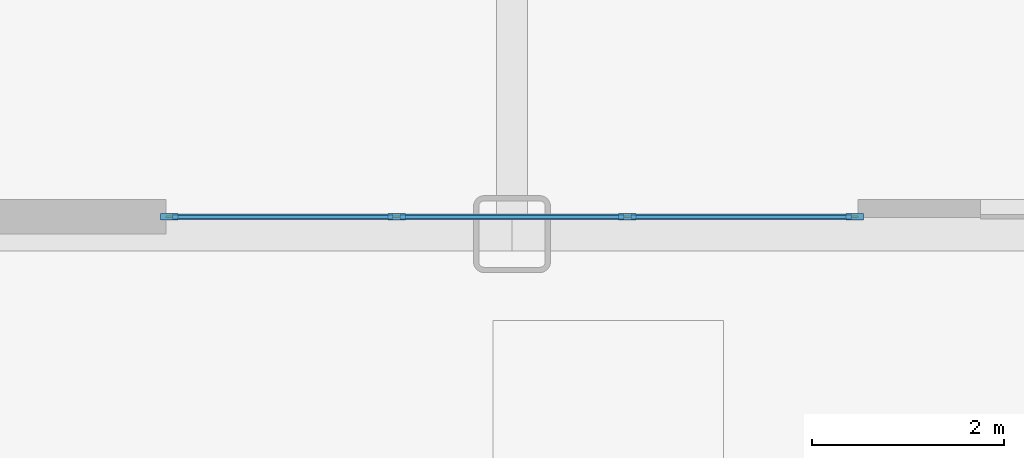
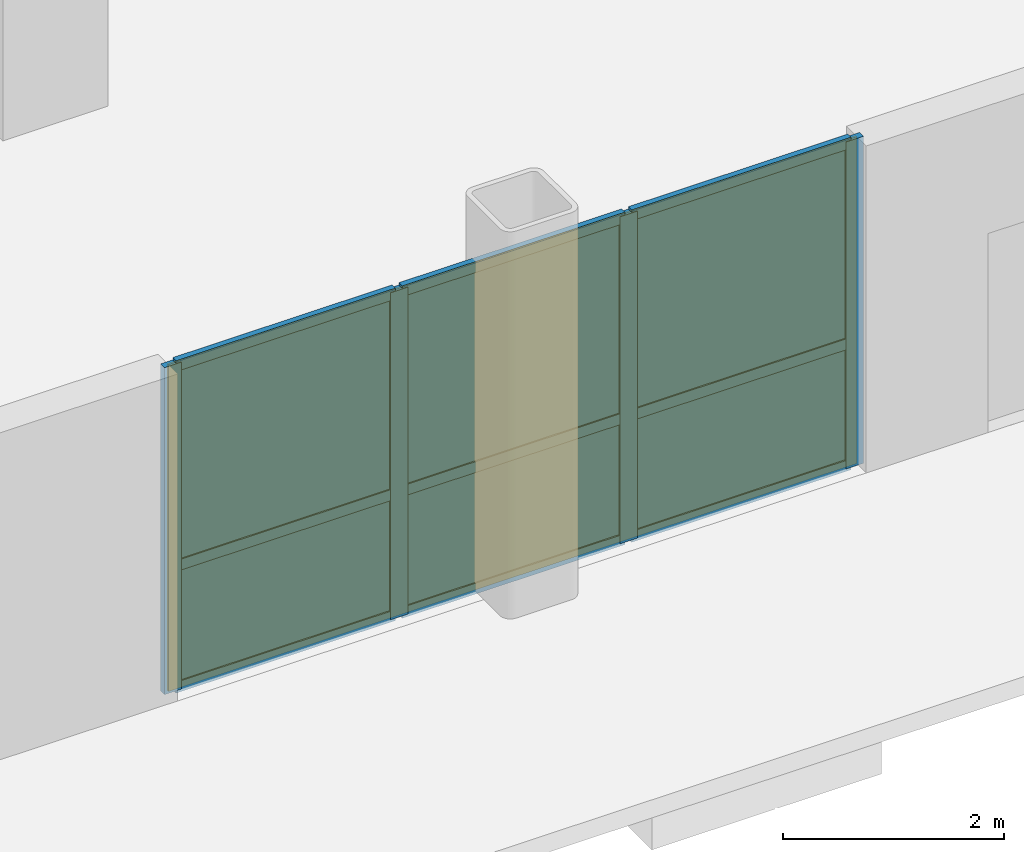
# One storey, part 14 of 20: 13 members, 6 plates, 1 curtain wall.
"""IFC4 building model written with IfcOpenShell, lengths in metres."""

import ifcopenshell
import ifcopenshell.guid

model = None  # the IFC model being written
_history = None  # IfcOwnerHistory: only IFC2X3 demands one
_inside = {}  # id of a spatial element -> (the spatial element, [elements in it])
_under = {}  # id of a project, library or spatial element -> (it, [spatial elements below it])
_declared = {}  # id of a project -> (the project, [libraries it declares])
_typed = {}  # id of a type object -> (the type object, [elements of that type])
_made_of = {}  # id of a material, layer set ... -> (it, [elements and type objects made of it])


def new_model(schema):
    """Start an empty IFC model of exactly this schema.

    Asked for "IFC4X3", IfcOpenShell would pick the latest addendum, in which some entities
    have other attributes; the version numbers below select the first issue.
    IFC2X3 requires an IfcOwnerHistory on every rooted entity: one is made here for all.
    """
    global model, _history
    if schema == "IFC4X3":
        model = ifcopenshell.file(schema_version=(4, 3, 0, 0))
    else:
        model = ifcopenshell.file(schema=schema)
    _inside.clear()
    _under.clear()
    _declared.clear()
    _typed.clear()
    _made_of.clear()
    _history = None
    if model.schema == "IFC2X3":
        org = make("IfcOrganization", Name="unknown")
        user = make(
            "IfcPersonAndOrganization",
            ThePerson=make("IfcPerson", FamilyName="unknown"),
            TheOrganization=org,
        )
        app = make(
            "IfcApplication",
            ApplicationDeveloper=org,
            Version="unknown",
            ApplicationFullName="unknown",
            ApplicationIdentifier="unknown",
        )
        _history = make(
            "IfcOwnerHistory",
            OwningUser=user,
            OwningApplication=app,
            ChangeAction="ADDED",
            CreationDate=0,
        )
    return model


def make(cls, **values):
    """One entity of the class cls with the attributes given. An attribute that is None is left unset."""
    return model.create_entity(
        cls, **{name: value for name, value in values.items() if value is not None}
    )


def rooted(cls, **values):
    """An entity with a GlobalId (a new one), such as an element, a storey or a relation."""
    return make(cls, GlobalId=ifcopenshell.guid.new(), OwnerHistory=_history, **values)


def si_unit(unit_type, name, prefix=None):
    """IfcSIUnit, for example si_unit("LENGTHUNIT", "METRE", prefix="MILLI")."""
    return make("IfcSIUnit", UnitType=unit_type, Prefix=prefix, Name=name)


def assignment(units):
    """IfcUnitAssignment: the units of a project."""
    return None if units is None else make("IfcUnitAssignment", Units=units)


def point(xyz):
    """IfcCartesianPoint."""
    return None if xyz is None else make("IfcCartesianPoint", Coordinates=xyz)


def direction(xyz):
    """IfcDirection."""
    return None if xyz is None else make("IfcDirection", DirectionRatios=xyz)


def frame(location, z_axis=None, x_axis=None):
    """IfcAxis2Placement3D, a coordinate frame: its origin and axes. An axis left out is left unset."""
    return make(
        "IfcAxis2Placement3D",
        Location=point(location),
        Axis=direction(z_axis),
        RefDirection=direction(x_axis),
    )


def frame_2d(location, x_axis=None):
    """IfcAxis2Placement2D, a coordinate frame in the plane: its origin and x axis."""
    return make(
        "IfcAxis2Placement2D", Location=point(location), RefDirection=direction(x_axis)
    )


def origin():
    """The frame at (0, 0, 0) with its axes left unset."""
    return frame((0.0, 0.0, 0.0))


def origin_2d():
    """The frame at (0, 0) in the plane with its x axis left unset."""
    return frame_2d((0.0, 0.0))


def place(relative_to, where):
    """IfcLocalPlacement: puts the frame where relative to a parent placement (None: the world)."""
    return make(
        "IfcLocalPlacement", PlacementRelTo=relative_to, RelativePlacement=where
    )


def context(
    kind, dimensions, precision=None, world=None, true_north=None, identifier=None
):
    """IfcGeometricRepresentationContext, for example the 3D "Model" context."""
    return make(
        "IfcGeometricRepresentationContext",
        ContextIdentifier=identifier,
        ContextType=kind,
        CoordinateSpaceDimension=dimensions,
        Precision=precision,
        WorldCoordinateSystem=world,
        TrueNorth=true_north,
    )


def subcontext(parent, identifier, kind, view, scale=None):
    """IfcGeometricRepresentationSubContext, for example "Body" below "Model"."""
    return make(
        "IfcGeometricRepresentationSubContext",
        ContextIdentifier=identifier,
        ContextType=kind,
        ParentContext=parent,
        TargetScale=scale,
        TargetView=view,
    )


def project(units=None, contexts=None):
    """IfcProject with its units and contexts."""
    return rooted(
        "IfcProject",
        Name="project",
        RepresentationContexts=contexts,
        UnitsInContext=assignment(units),
    )


def spatial(cls, under=None, at=None, **own):
    """A site, building, storey or space (cls), placed at a placement, below another one or the project."""
    s = rooted(cls, ObjectPlacement=at, **own)
    if under is not None:
        _under.setdefault(under.id(), (under, []))[1].append(s)
    return s


def profile(cls, at=None, kind="AREA", **sizes):
    """A parametric profile (cls). Its sizes go by their IFC names, for example OverallWidth=200.0."""
    return make(cls, ProfileType=kind, Position=at, **sizes)


def rectangle(**sizes):
    """IfcRectangleProfileDef."""
    return profile("IfcRectangleProfileDef", **sizes)


def extrude(swept, where, along, depth):
    """IfcExtrudedAreaSolid: the profile swept, set in the frame where, extruded along a direction by depth."""
    return make(
        "IfcExtrudedAreaSolid",
        SweptArea=swept,
        Position=where,
        ExtrudedDirection=direction(along),
        Depth=depth,
    )


def shape(context_of_items, identifier, shape_type, items):
    """IfcShapeRepresentation: the items that make up one representation, for example the "Body"."""
    return make(
        "IfcShapeRepresentation",
        ContextOfItems=context_of_items,
        RepresentationIdentifier=identifier,
        RepresentationType=shape_type,
        Items=items,
    )


def source(mapping_origin, context_of_items, identifier, shape_type, items):
    """IfcRepresentationMap: a shape defined once, which mapped items show again and again."""
    return make(
        "IfcRepresentationMap",
        MappingOrigin=mapping_origin,
        MappedRepresentation=shape(context_of_items, identifier, shape_type, items),
    )


def transform(
    local_origin,
    x_axis=None,
    y_axis=None,
    z_axis=None,
    scale=None,
    scale2=None,
    scale3=None,
    uniform=True,
):
    """IfcCartesianTransformationOperator3D, or its non-uniform kind. x_axis, y_axis, z_axis: its Axis1, 2, 3."""
    if uniform:
        return make(
            "IfcCartesianTransformationOperator3D",
            Axis1=direction(x_axis),
            Axis2=direction(y_axis),
            LocalOrigin=point(local_origin),
            Scale=scale,
            Axis3=direction(z_axis),
        )
    return make(
        "IfcCartesianTransformationOperator3DnonUniform",
        Axis1=direction(x_axis),
        Axis2=direction(y_axis),
        LocalOrigin=point(local_origin),
        Scale=scale,
        Axis3=direction(z_axis),
        Scale2=scale2,
        Scale3=scale3,
    )


def mapped(mapping_source, mapping_target):
    """IfcMappedItem: shows the shape of a source again, moved by a transform."""
    return make(
        "IfcMappedItem", MappingSource=mapping_source, MappingTarget=mapping_target
    )


def material(Name=None, Category=None):
    """IfcMaterial."""
    return make("IfcMaterial", Name=Name, Category=Category)


def layer(
    of_material, thickness, ventilated=None, Name=None, Category=None, Priority=None
):
    """IfcMaterialLayer: one layer of a wall or slab, of a material (None: an air gap)."""
    return make(
        "IfcMaterialLayer",
        Material=of_material,
        LayerThickness=thickness,
        IsVentilated=ventilated,
        Name=Name,
        Category=Category,
        Priority=Priority,
    )


def layer_set(layers, Name=None):
    """IfcMaterialLayerSet."""
    return make("IfcMaterialLayerSet", MaterialLayers=layers, LayerSetName=Name)


def material_profile(
    of_material, cross_section, Name=None, Category=None, Priority=None
):
    """IfcMaterialProfile: a cross section and its material."""
    return make(
        "IfcMaterialProfile",
        Name=Name,
        Material=of_material,
        Profile=cross_section,
        Priority=Priority,
        Category=Category,
    )


def profile_set(profiles, Name=None, composite=None):
    """IfcMaterialProfileSet."""
    return make(
        "IfcMaterialProfileSet",
        Name=Name,
        MaterialProfiles=profiles,
        CompositeProfile=composite,
    )


def made_of(thing, what):
    """Note that an element or type object is made of a material, layer set ...; save() writes the relation."""
    if what is not None:
        _made_of.setdefault(what.id(), (what, []))[1].append(thing)
    return thing


def type_object(cls, material=None, **own):
    """A type object (cls), such as IfcWallType, which elements share."""
    return made_of(rooted(cls, **own), material)


def type_shapes(of_type, sources):
    """Give a type object the sources (RepresentationMaps) that its elements show as mapped items."""
    of_type.RepresentationMaps = sources


def element(
    cls,
    number,
    at=None,
    inside=None,
    cuts=None,
    type_object=None,
    material=None,
    context=None,
    identifier="Body",
    shape_type=None,
    held_by="IfcProductDefinitionShape",
    body=None,
    shapes=None,
    **own,
):
    """One element of the class cls, such as IfcWall. Its Tag is "e" and its number.

    at: its placement. inside: the storey or other place that contains it. cuts: it is an
    opening in that element (IfcRelVoidsElement). A single representation is given by context,
    identifier, shape_type and body (its items); several are given by shapes. held_by: the class
    of the entity that holds the representations. save() writes the other relations.
    """
    e = rooted(cls, Tag="e%d" % number, ObjectPlacement=at, **own)
    if body is not None:
        shapes = [shape(context, identifier, shape_type, body)]
    if shapes is not None:
        e.Representation = make(held_by, Representations=shapes)
    if inside is not None:
        _inside.setdefault(inside.id(), (inside, []))[1].append(e)
    if cuts is not None:
        rooted(
            "IfcRelVoidsElement", RelatingBuildingElement=cuts, RelatedOpeningElement=e
        )
    if type_object is not None:
        _typed.setdefault(type_object.id(), (type_object, []))[1].append(e)
    return made_of(e, material)


def aggregate(whole, parts):
    """IfcRelAggregates: a whole, such as a stair, and the parts it consists of."""
    return rooted("IfcRelAggregates", RelatingObject=whole, RelatedObjects=parts)


def save(model, path):
    """Write the relations noted so far, then the file.

    IfcRelAggregates (storeys below a building ...), IfcRelContainedInSpatialStructure (elements
    in a storey), IfcRelDefinesByType, IfcRelAssociatesMaterial and IfcRelDeclares: one each for
    every whole, place, type object, material and project.
    """
    for whole, parts in _under.values():
        aggregate(whole, parts)
    for where, things in _inside.values():
        rooted(
            "IfcRelContainedInSpatialStructure",
            RelatedElements=things,
            RelatingStructure=where,
        )
    for kind, things in _typed.values():
        rooted("IfcRelDefinesByType", RelatedObjects=things, RelatingType=kind)
    for what, things in _made_of.values():
        rooted("IfcRelAssociatesMaterial", RelatedObjects=things, RelatingMaterial=what)
    for by, libraries in _declared.values():
        rooted("IfcRelDeclares", RelatingContext=by, RelatedDefinitions=libraries)
    model.write(path)


model = new_model("IFC4")

# Units and contexts
model_context = context("Model", 3, precision=1e-05, world=origin(), true_north=direction((0.0, 1.0)))
body_context = subcontext(model_context, "Body", "Model", "MODEL_VIEW")
ifc_project = project(units=[si_unit("LENGTHUNIT", "METRE"), si_unit("AREAUNIT", "SQUARE_METRE"), si_unit("VOLUMEUNIT", "CUBIC_METRE"), si_unit("PLANEANGLEUNIT", "RADIAN"), si_unit("MASSUNIT", "GRAM", prefix="KILO")], contexts=[model_context])

# Member
ifc_material_1 = material(Name="Anodised aluminium 6063-T6", Category="aluminium")
ifc_material_profile_1 = material_profile(ifc_material_1, rectangle(XDim=0.070068359375, YDim=0.179931640625, at=origin_2d()), Name="ALU-MULL-70x180")
ifc_profile_set_1 = profile_set([ifc_material_profile_1], Name="Anodised aluminium 6063-T6")
member_type_1 = type_object("IfcMemberType", Name="CWM-1", PredefinedType="MULLION", material=ifc_profile_set_1)
site_placement = place(None, origin())
building_placement = place(site_placement, origin())
storey_placement = place(building_placement, origin())
member_1_placement = place(storey_placement, frame((15.43505859375, -25.820068359375, 0.0), z_axis=(0.0, 0.0, 1.0), x_axis=(0.0, 1.0, 0.0)))
member_1 = element("IfcMember", 1, at=member_1_placement, type_object=member_type_1, Name="CWS-1 mullion 1", PredefinedType="MULLION", context=body_context, shape_type="SweptSolid", body=[
    extrude(rectangle(XDim=0.070068359375, YDim=0.179931640625, at=origin_2d()), origin(), (0.0, 0.0, 1.0), 3.614990234375),
])

member_2_placement = place(storey_placement, frame((17.800048828125, -25.820068359375, 0.0), z_axis=(0.0, 0.0, 1.0), x_axis=(0.0, 1.0, 0.0)))
member_2 = element("IfcMember", 2, at=member_2_placement, type_object=member_type_1, Name="CWS-1 mullion 2", PredefinedType="MULLION", context=body_context, shape_type="SweptSolid", body=[
    extrude(rectangle(XDim=0.070068359375, YDim=0.179931640625, at=origin_2d()), origin(), (0.0, 0.0, 1.0), 3.614990234375),
])

member_3_placement = place(storey_placement, frame((20.199951171875, -25.820068359375, 0.0), z_axis=(0.0, 0.0, 1.0), x_axis=(0.0, 1.0, 0.0)))
member_3 = element("IfcMember", 3, at=member_3_placement, type_object=member_type_1, Name="CWS-1 mullion 3", PredefinedType="MULLION", context=body_context, shape_type="SweptSolid", body=[
    extrude(rectangle(XDim=0.070068359375, YDim=0.179931640625, at=origin_2d()), origin(), (0.0, 0.0, 1.0), 3.614990234375),
])

member_4_placement = place(storey_placement, frame((22.56494140625, -25.820068359375, 0.0), z_axis=(0.0, 0.0, 1.0), x_axis=(0.0, 1.0, 0.0)))
member_4 = element("IfcMember", 4, at=member_4_placement, type_object=member_type_1, Name="CWS-1 mullion 4", PredefinedType="MULLION", context=body_context, shape_type="SweptSolid", body=[
    extrude(rectangle(XDim=0.070068359375, YDim=0.179931640625, at=origin_2d()), origin(), (0.0, 0.0, 1.0), 3.614990234375),
])

ifc_material_profile_2 = material_profile(ifc_material_1, rectangle(XDim=0.06005859375, YDim=0.1201171875, at=origin_2d()), Name="ALU-TRAN-60x120")
ifc_profile_set_2 = profile_set([ifc_material_profile_2], Name="Anodised aluminium 6063-T6")
member_type_2 = type_object("IfcMemberType", Name="CWT-1", PredefinedType="USERDEFINED", material=ifc_profile_set_2)
member_5_placement = place(storey_placement, frame((15.469970703125, -25.820068359375, 0.030029296875), z_axis=(1.0, 0.0, 0.0), x_axis=(0.0, 1.0, 0.0)))
member_5 = element("IfcMember", 5, at=member_5_placement, type_object=member_type_2, Name="CWS-1 transom 1.1", ObjectType="TRANSOM", PredefinedType="USERDEFINED", context=body_context, shape_type="SweptSolid", body=[
    extrude(rectangle(XDim=0.06005859375, YDim=0.1201171875, at=origin_2d()), origin(), (0.0, 0.0, 1.0), 2.294921875),
])

member_6_placement = place(storey_placement, frame((15.469970703125, -25.820068359375, 1.373779296875), z_axis=(1.0, 0.0, 0.0), x_axis=(0.0, 1.0, 0.0)))
member_6 = element("IfcMember", 6, at=member_6_placement, type_object=member_type_2, Name="CWS-1 transom 1.2", ObjectType="TRANSOM", PredefinedType="USERDEFINED", context=body_context, shape_type="SweptSolid", body=[
    extrude(rectangle(XDim=0.06005859375, YDim=0.1201171875, at=origin_2d()), origin(), (0.0, 0.0, 1.0), 2.294921875),
])

member_7_placement = place(storey_placement, frame((15.469970703125, -25.820068359375, 3.5849609375), z_axis=(1.0, 0.0, 0.0), x_axis=(0.0, 1.0, 0.0)))
member_7 = element("IfcMember", 7, at=member_7_placement, type_object=member_type_2, Name="CWS-1 transom 1.3", ObjectType="TRANSOM", PredefinedType="USERDEFINED", context=body_context, shape_type="SweptSolid", body=[
    extrude(rectangle(XDim=0.06005859375, YDim=0.1201171875, at=origin_2d()), origin(), (0.0, 0.0, 1.0), 2.294921875),
])

member_8_placement = place(storey_placement, frame((17.8349609375, -25.820068359375, 0.030029296875), z_axis=(1.0, 0.0, 0.0), x_axis=(0.0, 1.0, 0.0)))
member_8 = element("IfcMember", 8, at=member_8_placement, type_object=member_type_2, Name="CWS-1 transom 2.1", ObjectType="TRANSOM", PredefinedType="USERDEFINED", context=body_context, shape_type="SweptSolid", body=[
    extrude(rectangle(XDim=0.06005859375, YDim=0.1201171875, at=origin_2d()), origin(), (0.0, 0.0, 1.0), 2.330078125),
])

member_9_placement = place(storey_placement, frame((17.8349609375, -25.820068359375, 1.373779296875), z_axis=(1.0, 0.0, 0.0), x_axis=(0.0, 1.0, 0.0)))
member_9 = element("IfcMember", 9, at=member_9_placement, type_object=member_type_2, Name="CWS-1 transom 2.2", ObjectType="TRANSOM", PredefinedType="USERDEFINED", context=body_context, shape_type="SweptSolid", body=[
    extrude(rectangle(XDim=0.06005859375, YDim=0.1201171875, at=origin_2d()), origin(), (0.0, 0.0, 1.0), 2.330078125),
])

member_10_placement = place(storey_placement, frame((17.8349609375, -25.820068359375, 3.5849609375), z_axis=(1.0, 0.0, 0.0), x_axis=(0.0, 1.0, 0.0)))
member_10 = element("IfcMember", 10, at=member_10_placement, type_object=member_type_2, Name="CWS-1 transom 2.3", ObjectType="TRANSOM", PredefinedType="USERDEFINED", context=body_context, shape_type="SweptSolid", body=[
    extrude(rectangle(XDim=0.06005859375, YDim=0.1201171875, at=origin_2d()), origin(), (0.0, 0.0, 1.0), 2.330078125),
])

member_11_placement = place(storey_placement, frame((20.235107421875, -25.820068359375, 0.030029296875), z_axis=(1.0, 0.0, 0.0), x_axis=(0.0, 1.0, 0.0)))
member_11 = element("IfcMember", 11, at=member_11_placement, type_object=member_type_2, Name="CWS-1 transom 3.1", ObjectType="TRANSOM", PredefinedType="USERDEFINED", context=body_context, shape_type="SweptSolid", body=[
    extrude(rectangle(XDim=0.06005859375, YDim=0.1201171875, at=origin_2d()), origin(), (0.0, 0.0, 1.0), 2.294921875),
])

member_12_placement = place(storey_placement, frame((20.235107421875, -25.820068359375, 1.373779296875), z_axis=(1.0, 0.0, 0.0), x_axis=(0.0, 1.0, 0.0)))
member_12 = element("IfcMember", 12, at=member_12_placement, type_object=member_type_2, Name="CWS-1 transom 3.2", ObjectType="TRANSOM", PredefinedType="USERDEFINED", context=body_context, shape_type="SweptSolid", body=[
    extrude(rectangle(XDim=0.06005859375, YDim=0.1201171875, at=origin_2d()), origin(), (0.0, 0.0, 1.0), 2.294921875),
])

member_13_placement = place(storey_placement, frame((20.235107421875, -25.820068359375, 3.5849609375), z_axis=(1.0, 0.0, 0.0), x_axis=(0.0, 1.0, 0.0)))
member_13 = element("IfcMember", 13, at=member_13_placement, type_object=member_type_2, Name="CWS-1 transom 3.3", ObjectType="TRANSOM", PredefinedType="USERDEFINED", context=body_context, shape_type="SweptSolid", body=[
    extrude(rectangle(XDim=0.06005859375, YDim=0.1201171875, at=origin_2d()), origin(), (0.0, 0.0, 1.0), 2.294921875),
])

# Plate
ifc_material_2 = material(Name="Insulated solar-control glass", Category="glass")
ifc_layer_1 = layer(ifc_material_2, 0.031982421875, Name="CWP-1")
ifc_layer_set_1 = layer_set([ifc_layer_1], Name="Insulated solar-control glass")
plate_type = type_object("IfcPlateType", Name="CWP-1", PredefinedType="CURTAIN_PANEL", material=ifc_layer_set_1)
shared_shape_1 = source(origin(), body_context, "Body", "SweptSolid", [
    extrude(rectangle(XDim=2.294921875, YDim=0.031982421875, at=origin_2d()), origin(), (0.0, 0.0, 1.0), 1.28369140625),
])
plate_1_placement = place(storey_placement, frame((16.617431640625, -25.820068359375, 0.06005859375), z_axis=(0.0, 0.0, 1.0), x_axis=(1.0, 0.0, 0.0)))
plate_1 = element("IfcPlate", 14, at=plate_1_placement, type_object=plate_type, Name="CWS-1 panel 1.1", PredefinedType="CURTAIN_PANEL", context=body_context, shape_type="MappedRepresentation", body=[
    mapped(shared_shape_1, transform((0.0, 0.0, 0.0), scale=1.0)),
])

plate_2_placement = place(storey_placement, frame((21.382568359375, -25.820068359375, 0.06005859375), z_axis=(0.0, 0.0, 1.0), x_axis=(1.0, 0.0, 0.0)))
plate_2 = element("IfcPlate", 15, at=plate_2_placement, type_object=plate_type, Name="CWS-1 panel 3.1", PredefinedType="CURTAIN_PANEL", context=body_context, shape_type="MappedRepresentation", body=[
    mapped(shared_shape_1, transform((0.0, 0.0, 0.0), scale=1.0)),
])

shared_shape_2 = source(origin(), body_context, "Body", "SweptSolid", [
    extrude(rectangle(XDim=2.294921875, YDim=0.031982421875, at=origin_2d()), origin(), (0.0, 0.0, 1.0), 2.1513671875),
])
plate_3_placement = place(storey_placement, frame((16.617431640625, -25.820068359375, 1.403564453125), z_axis=(0.0, 0.0, 1.0), x_axis=(1.0, 0.0, 0.0)))
plate_3 = element("IfcPlate", 16, at=plate_3_placement, type_object=plate_type, Name="CWS-1 panel 1.2", PredefinedType="CURTAIN_PANEL", context=body_context, shape_type="MappedRepresentation", body=[
    mapped(shared_shape_2, transform((0.0, 0.0, 0.0), scale=1.0)),
])

plate_4_placement = place(storey_placement, frame((21.382568359375, -25.820068359375, 1.403564453125), z_axis=(0.0, 0.0, 1.0), x_axis=(1.0, 0.0, 0.0)))
plate_4 = element("IfcPlate", 17, at=plate_4_placement, type_object=plate_type, Name="CWS-1 panel 3.2", PredefinedType="CURTAIN_PANEL", context=body_context, shape_type="MappedRepresentation", body=[
    mapped(shared_shape_2, transform((0.0, 0.0, 0.0), scale=1.0)),
])

shared_shape_3 = source(origin(), body_context, "Body", "SweptSolid", [
    extrude(rectangle(XDim=2.330078125, YDim=0.031982421875, at=origin_2d()), origin(), (0.0, 0.0, 1.0), 1.28369140625),
])
plate_5_placement = place(storey_placement, frame((19.0, -25.820068359375, 0.06005859375), z_axis=(0.0, 0.0, 1.0), x_axis=(1.0, 0.0, 0.0)))
plate_5 = element("IfcPlate", 18, at=plate_5_placement, type_object=plate_type, Name="CWS-1 panel 2.1", PredefinedType="CURTAIN_PANEL", context=body_context, shape_type="MappedRepresentation", body=[
    mapped(shared_shape_3, transform((0.0, 0.0, 0.0), scale=1.0)),
])

shared_shape_4 = source(origin(), body_context, "Body", "SweptSolid", [
    extrude(rectangle(XDim=2.330078125, YDim=0.031982421875, at=origin_2d()), origin(), (0.0, 0.0, 1.0), 2.1513671875),
])
type_shapes(plate_type, [shared_shape_1, shared_shape_2, shared_shape_3, shared_shape_4])
plate_6_placement = place(storey_placement, frame((19.0, -25.820068359375, 1.403564453125), z_axis=(0.0, 0.0, 1.0), x_axis=(1.0, 0.0, 0.0)))
plate_6 = element("IfcPlate", 19, at=plate_6_placement, type_object=plate_type, Name="CWS-1 panel 2.2", PredefinedType="CURTAIN_PANEL", context=body_context, shape_type="MappedRepresentation", body=[
    mapped(shared_shape_4, transform((0.0, 0.0, 0.0), scale=1.0)),
])

# Site, building, storey
site = spatial("IfcSite", under=ifc_project, at=site_placement, CompositionType="ELEMENT")
building = spatial("IfcBuilding", under=site, at=building_placement, Name="Nuvemarco Arch Tower", CompositionType="ELEMENT")
storey = spatial("IfcBuildingStorey", under=building, at=storey_placement, Name="L00", CompositionType="ELEMENT", Elevation=0.0)

# Curtain wall
ifc_layer_2 = layer(ifc_material_2, 0.179931640625, Name="CW-SYS-1")
ifc_layer_set_2 = layer_set([ifc_layer_2], Name="Insulated solar-control glass")
curtain_wall_type = type_object("IfcCurtainWallType", Name="CW-SYS-1", PredefinedType="NOTDEFINED", material=ifc_layer_set_2)
curtain_wall_placement = place(storey_placement, frame((15.39990234375, -25.820068359375, 0.0), z_axis=(0.0, 0.0, 1.0), x_axis=(1.0, 0.0, 0.0)))
curtain_wall = element("IfcCurtainWall", 20, at=curtain_wall_placement, inside=storey, type_object=curtain_wall_type, Name="L00 curtain wall CWS-1", PredefinedType="NOTDEFINED", context=body_context, shape_type="SweptSolid", body=[
    extrude(rectangle(XDim=7.2001953125, YDim=0.02001953125, at=frame_2d((3.60009765625, 0.0))), origin(), (0.0, 0.0, 1.0), 3.614990234375),
])

aggregate(curtain_wall, [member_1, member_2, member_3, member_4, member_5, member_6, member_7, plate_1, plate_3, member_8, member_9, member_10, plate_5, plate_6, member_11, member_12, member_13, plate_2, plate_4])

save(model, "model.ifc")
